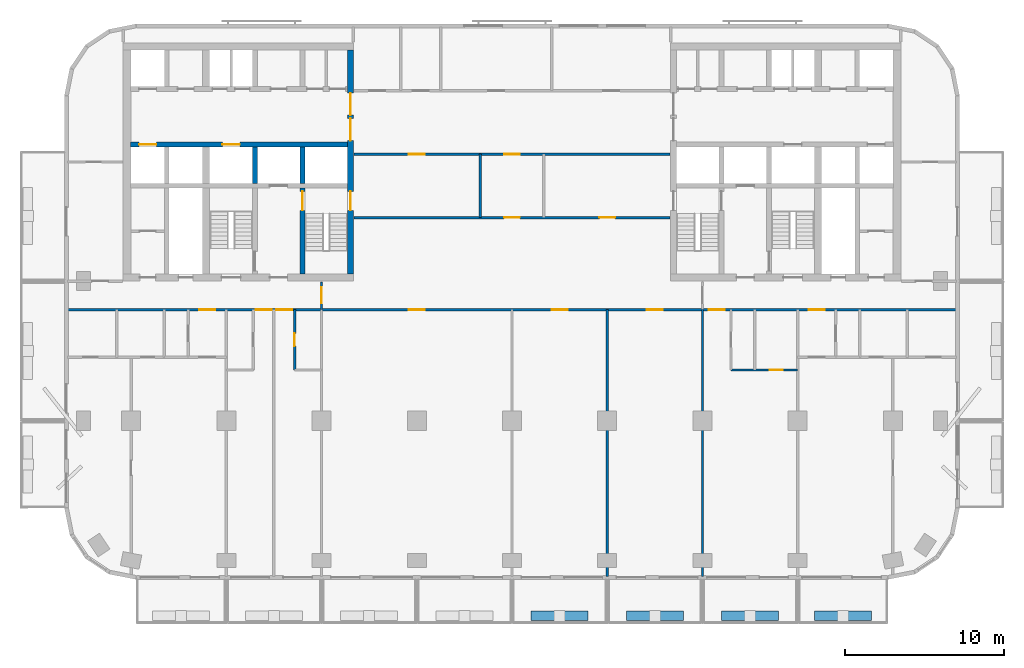
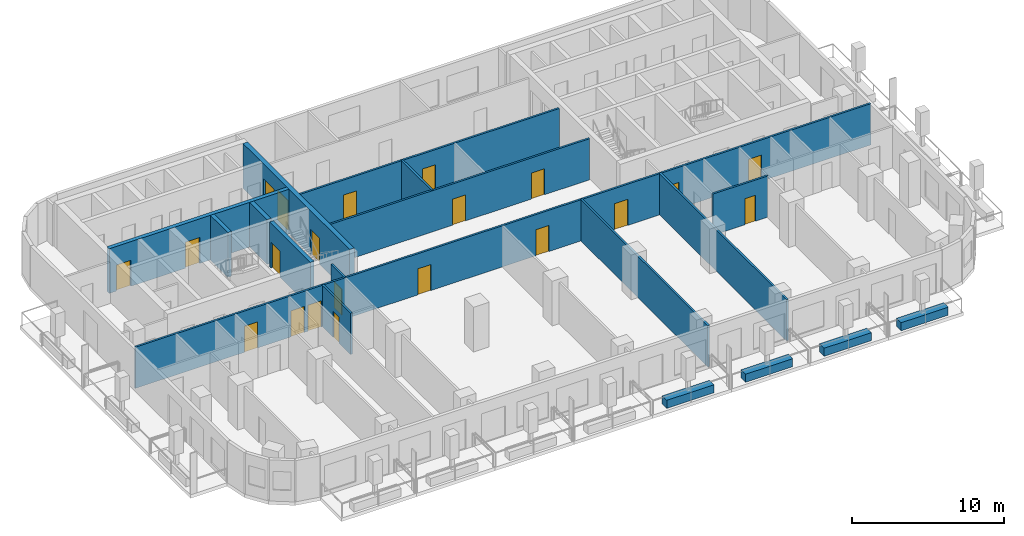
# One storey, part 4 of 12: 21 doors, 18 walls, 21 openings.
"""IFC4 building model written with IfcOpenShell, lengths in metres."""

import ifcopenshell
import ifcopenshell.guid

model = None  # the IFC model being written
_history = None  # IfcOwnerHistory: only IFC2X3 demands one
_inside = {}  # id of a spatial element -> (the spatial element, [elements in it])
_under = {}  # id of a project, library or spatial element -> (it, [spatial elements below it])
_declared = {}  # id of a project -> (the project, [libraries it declares])
_typed = {}  # id of a type object -> (the type object, [elements of that type])
_made_of = {}  # id of a material, layer set ... -> (it, [elements and type objects made of it])


def new_model(schema):
    """Start an empty IFC model of exactly this schema.

    Asked for "IFC4X3", IfcOpenShell would pick the latest addendum, in which some entities
    have other attributes; the version numbers below select the first issue.
    IFC2X3 requires an IfcOwnerHistory on every rooted entity: one is made here for all.
    """
    global model, _history
    if schema == "IFC4X3":
        model = ifcopenshell.file(schema_version=(4, 3, 0, 0))
    else:
        model = ifcopenshell.file(schema=schema)
    _inside.clear()
    _under.clear()
    _declared.clear()
    _typed.clear()
    _made_of.clear()
    _history = None
    if model.schema == "IFC2X3":
        org = make("IfcOrganization", Name="unknown")
        user = make(
            "IfcPersonAndOrganization",
            ThePerson=make("IfcPerson", FamilyName="unknown"),
            TheOrganization=org,
        )
        app = make(
            "IfcApplication",
            ApplicationDeveloper=org,
            Version="unknown",
            ApplicationFullName="unknown",
            ApplicationIdentifier="unknown",
        )
        _history = make(
            "IfcOwnerHistory",
            OwningUser=user,
            OwningApplication=app,
            ChangeAction="ADDED",
            CreationDate=0,
        )
    return model


def make(cls, **values):
    """One entity of the class cls with the attributes given. An attribute that is None is left unset."""
    return model.create_entity(
        cls, **{name: value for name, value in values.items() if value is not None}
    )


def rooted(cls, **values):
    """An entity with a GlobalId (a new one), such as an element, a storey or a relation."""
    return make(cls, GlobalId=ifcopenshell.guid.new(), OwnerHistory=_history, **values)


def si_unit(unit_type, name, prefix=None):
    """IfcSIUnit, for example si_unit("LENGTHUNIT", "METRE", prefix="MILLI")."""
    return make("IfcSIUnit", UnitType=unit_type, Prefix=prefix, Name=name)


def assignment(units):
    """IfcUnitAssignment: the units of a project."""
    return None if units is None else make("IfcUnitAssignment", Units=units)


def point(xyz):
    """IfcCartesianPoint."""
    return None if xyz is None else make("IfcCartesianPoint", Coordinates=xyz)


def direction(xyz):
    """IfcDirection."""
    return None if xyz is None else make("IfcDirection", DirectionRatios=xyz)


def frame(location, z_axis=None, x_axis=None):
    """IfcAxis2Placement3D, a coordinate frame: its origin and axes. An axis left out is left unset."""
    return make(
        "IfcAxis2Placement3D",
        Location=point(location),
        Axis=direction(z_axis),
        RefDirection=direction(x_axis),
    )


def frame_2d(location, x_axis=None):
    """IfcAxis2Placement2D, a coordinate frame in the plane: its origin and x axis."""
    return make(
        "IfcAxis2Placement2D", Location=point(location), RefDirection=direction(x_axis)
    )


def origin():
    """The frame at (0, 0, 0) with its axes left unset."""
    return frame((0.0, 0.0, 0.0))


def place(relative_to, where):
    """IfcLocalPlacement: puts the frame where relative to a parent placement (None: the world)."""
    return make(
        "IfcLocalPlacement", PlacementRelTo=relative_to, RelativePlacement=where
    )


def context(
    kind, dimensions, precision=None, world=None, true_north=None, identifier=None
):
    """IfcGeometricRepresentationContext, for example the 3D "Model" context."""
    return make(
        "IfcGeometricRepresentationContext",
        ContextIdentifier=identifier,
        ContextType=kind,
        CoordinateSpaceDimension=dimensions,
        Precision=precision,
        WorldCoordinateSystem=world,
        TrueNorth=true_north,
    )


def subcontext(parent, identifier, kind, view, scale=None):
    """IfcGeometricRepresentationSubContext, for example "Body" below "Model"."""
    return make(
        "IfcGeometricRepresentationSubContext",
        ContextIdentifier=identifier,
        ContextType=kind,
        ParentContext=parent,
        TargetScale=scale,
        TargetView=view,
    )


def project(units=None, contexts=None):
    """IfcProject with its units and contexts."""
    return rooted(
        "IfcProject",
        Name="project",
        RepresentationContexts=contexts,
        UnitsInContext=assignment(units),
    )


def spatial(cls, under=None, at=None, **own):
    """A site, building, storey or space (cls), placed at a placement, below another one or the project."""
    s = rooted(cls, ObjectPlacement=at, **own)
    if under is not None:
        _under.setdefault(under.id(), (under, []))[1].append(s)
    return s


def profile(cls, at=None, kind="AREA", **sizes):
    """A parametric profile (cls). Its sizes go by their IFC names, for example OverallWidth=200.0."""
    return make(cls, ProfileType=kind, Position=at, **sizes)


def rectangle(**sizes):
    """IfcRectangleProfileDef."""
    return profile("IfcRectangleProfileDef", **sizes)


def extrude(swept, where, along, depth):
    """IfcExtrudedAreaSolid: the profile swept, set in the frame where, extruded along a direction by depth."""
    return make(
        "IfcExtrudedAreaSolid",
        SweptArea=swept,
        Position=where,
        ExtrudedDirection=direction(along),
        Depth=depth,
    )


def shape(context_of_items, identifier, shape_type, items):
    """IfcShapeRepresentation: the items that make up one representation, for example the "Body"."""
    return make(
        "IfcShapeRepresentation",
        ContextOfItems=context_of_items,
        RepresentationIdentifier=identifier,
        RepresentationType=shape_type,
        Items=items,
    )


def material(Name=None, Category=None):
    """IfcMaterial."""
    return make("IfcMaterial", Name=Name, Category=Category)


def layer(
    of_material, thickness, ventilated=None, Name=None, Category=None, Priority=None
):
    """IfcMaterialLayer: one layer of a wall or slab, of a material (None: an air gap)."""
    return make(
        "IfcMaterialLayer",
        Material=of_material,
        LayerThickness=thickness,
        IsVentilated=ventilated,
        Name=Name,
        Category=Category,
        Priority=Priority,
    )


def layer_set(layers, Name=None):
    """IfcMaterialLayerSet."""
    return make("IfcMaterialLayerSet", MaterialLayers=layers, LayerSetName=Name)


def made_of(thing, what):
    """Note that an element or type object is made of a material, layer set ...; save() writes the relation."""
    if what is not None:
        _made_of.setdefault(what.id(), (what, []))[1].append(thing)
    return thing


def type_object(cls, material=None, **own):
    """A type object (cls), such as IfcWallType, which elements share."""
    return made_of(rooted(cls, **own), material)


def element(
    cls,
    number,
    at=None,
    inside=None,
    cuts=None,
    type_object=None,
    material=None,
    context=None,
    identifier="Body",
    shape_type=None,
    held_by="IfcProductDefinitionShape",
    body=None,
    shapes=None,
    **own,
):
    """One element of the class cls, such as IfcWall. Its Tag is "e" and its number.

    at: its placement. inside: the storey or other place that contains it. cuts: it is an
    opening in that element (IfcRelVoidsElement). A single representation is given by context,
    identifier, shape_type and body (its items); several are given by shapes. held_by: the class
    of the entity that holds the representations. save() writes the other relations.
    """
    e = rooted(cls, Tag="e%d" % number, ObjectPlacement=at, **own)
    if body is not None:
        shapes = [shape(context, identifier, shape_type, body)]
    if shapes is not None:
        e.Representation = make(held_by, Representations=shapes)
    if inside is not None:
        _inside.setdefault(inside.id(), (inside, []))[1].append(e)
    if cuts is not None:
        rooted(
            "IfcRelVoidsElement", RelatingBuildingElement=cuts, RelatedOpeningElement=e
        )
    if type_object is not None:
        _typed.setdefault(type_object.id(), (type_object, []))[1].append(e)
    return made_of(e, material)


def fill(opening, filler):
    """IfcRelFillsElement: the door or window that sits in an opening."""
    return rooted(
        "IfcRelFillsElement",
        RelatingOpeningElement=opening,
        RelatedBuildingElement=filler,
    )


def aggregate(whole, parts):
    """IfcRelAggregates: a whole, such as a stair, and the parts it consists of."""
    return rooted("IfcRelAggregates", RelatingObject=whole, RelatedObjects=parts)


def save(model, path):
    """Write the relations noted so far, then the file.

    IfcRelAggregates (storeys below a building ...), IfcRelContainedInSpatialStructure (elements
    in a storey), IfcRelDefinesByType, IfcRelAssociatesMaterial and IfcRelDeclares: one each for
    every whole, place, type object, material and project.
    """
    for whole, parts in _under.values():
        aggregate(whole, parts)
    for where, things in _inside.values():
        rooted(
            "IfcRelContainedInSpatialStructure",
            RelatedElements=things,
            RelatingStructure=where,
        )
    for kind, things in _typed.values():
        rooted("IfcRelDefinesByType", RelatedObjects=things, RelatingType=kind)
    for what, things in _made_of.values():
        rooted("IfcRelAssociatesMaterial", RelatedObjects=things, RelatingMaterial=what)
    for by, libraries in _declared.values():
        rooted("IfcRelDeclares", RelatingContext=by, RelatedDefinitions=libraries)
    model.write(path)


model = new_model("IFC4")

# Units and contexts
model_context = context("Model", 3, precision=1e-05, world=origin(), true_north=direction((0.0, 1.0)))
body_context = subcontext(model_context, "Body", "Model", "MODEL_VIEW")
ifc_project = project(units=[si_unit("LENGTHUNIT", "METRE"), si_unit("AREAUNIT", "SQUARE_METRE"), si_unit("VOLUMEUNIT", "CUBIC_METRE"), si_unit("PLANEANGLEUNIT", "RADIAN"), si_unit("MASSUNIT", "GRAM", prefix="KILO")], contexts=[model_context])

# Site, building, storey
site_placement = place(None, origin())
site = spatial("IfcSite", under=ifc_project, at=site_placement, CompositionType="ELEMENT")
building_placement = place(site_placement, origin())
building = spatial("IfcBuilding", under=site, at=building_placement, Name="Torana Hotel and Residences", CompositionType="ELEMENT")
storey_placement = place(building_placement, frame((0.0, 0.0, 112.800048828125)))
storey = spatial("IfcBuildingStorey", under=building, at=storey_placement, Name="L28", CompositionType="ELEMENT", Elevation=112.800048828125)

# Wall, openings, doors
ifc_material_1 = material(Name="Concrete C70/85", Category="concrete")
ifc_layer_1 = layer(ifc_material_1, 0.300048828125)
ifc_layer_set_1 = layer_set([ifc_layer_1], Name="CORE WALL 300 C70/85")
wall_type_1 = type_object("IfcWallType", Name="CORE WALL 300 C70/85", PredefinedType="SHEAR", material=ifc_layer_set_1)
wall_1_placement = place(storey_placement, frame((-24.050048828125, -6.39990234375, 0.0), z_axis=(0.0, 0.0, 1.0), x_axis=(1.0, 0.0, 0.0)))
wall_1 = element("IfcWall", 1, at=wall_1_placement, inside=storey, type_object=wall_type_1, Name="Core wall W row-S", PredefinedType="SHEAR", context=body_context, shape_type="SweptSolid", body=[
    extrude(rectangle(XDim=13.699951171875, YDim=0.300048828125, at=frame_2d((6.85009765625, 0.0))), origin(), (0.0, 0.0, 1.0), 3.599853515625),
])
opening_1_placement = place(wall_1_placement, frame((0.550048828125, 0.0, 0.0)))
opening_1 = element("IfcOpeningElement", 2, at=opening_1_placement, cuts=wall_1, Name="Opening LD", PredefinedType="OPENING", context=body_context, shape_type="SweptSolid", body=[
    extrude(rectangle(XDim=1.10009765625, YDim=2.10009765625, at=frame_2d((0.550048828125, 1.050048828125))), frame((0.0, 0.159912109375, 0.0), z_axis=(0.0, -1.0, 0.0), x_axis=(1.0, 0.0, 0.0)), (0.0, 0.0, 1.0), 0.320068359375),
])
opening_2_placement = place(wall_1_placement, frame((5.800048828125, 0.0, 0.0)))
opening_2 = element("IfcOpeningElement", 3, at=opening_2_placement, cuts=wall_1, Name="Opening LD", PredefinedType="OPENING", context=body_context, shape_type="SweptSolid", body=[
    extrude(rectangle(XDim=1.10009765625, YDim=2.10009765625, at=frame_2d((0.550048828125, 1.050048828125))), frame((0.0, 0.159912109375, 0.0), z_axis=(0.0, -1.0, 0.0), x_axis=(1.0, 0.0, 0.0)), (0.0, 0.0, 1.0), 0.320068359375),
])
ifc_material_2 = material(Name="Stainless steel 316", Category="steel")
door_type_1 = type_object("IfcDoorType", Name="LIFT LANDING DOOR LD 1100x2100", OperationType="DOUBLE_DOOR_SLIDING", PredefinedType="USERDEFINED", material=ifc_material_2)
door_1_placement = place(opening_1_placement, origin())
door_1 = element("IfcDoor", 4, at=door_1_placement, inside=storey, type_object=door_type_1, Name="Lift landing door M2 L28", ObjectType="LIFT LANDING DOOR", OperationType="DOUBLE_DOOR_SLIDING", OverallHeight=2.10009765625, OverallWidth=1.10009765625, PredefinedType="USERDEFINED", context=body_context, shape_type="SweptSolid", body=[
    extrude(rectangle(XDim=1.10009765625, YDim=2.10009765625, at=frame_2d((0.550048828125, 1.050048828125))), frame((0.0, 0.02490234375, 0.0), z_axis=(0.0, -1.0, 0.0), x_axis=(1.0, 0.0, 0.0)), (0.0, 0.0, 1.0), 0.050048828125),
])
fill(opening_1, door_1)
door_2_placement = place(opening_2_placement, origin())
door_2 = element("IfcDoor", 5, at=door_2_placement, inside=storey, type_object=door_type_1, Name="Lift landing door SV1 L28", ObjectType="LIFT LANDING DOOR", OperationType="DOUBLE_DOOR_SLIDING", OverallHeight=2.10009765625, OverallWidth=1.10009765625, PredefinedType="USERDEFINED", context=body_context, shape_type="SweptSolid", body=[
    extrude(rectangle(XDim=1.10009765625, YDim=2.10009765625, at=frame_2d((0.550048828125, 1.050048828125))), frame((0.0, 0.02490234375, 0.0), z_axis=(0.0, -1.0, 0.0), x_axis=(1.0, 0.0, 0.0)), (0.0, 0.0, 1.0), 0.050048828125),
])
fill(opening_2, door_2)

# Wall
wall_2_placement = place(storey_placement, frame((-13.199951171875, -8.85009765625, 0.0), z_axis=(0.0, 0.0, 1.0), x_axis=(0.0, 1.0, 0.0)))
element("IfcWall", 6, at=wall_2_placement, inside=storey, type_object=wall_type_1, Name="Core wall W x3.05-S", PredefinedType="SHEAR", context=body_context, shape_type="SweptSolid", body=[
    extrude(rectangle(XDim=2.300048828125, YDim=0.300048828125, at=frame_2d((1.14990234375, 0.0))), origin(), (0.0, 0.0, 1.0), 3.599853515625),
])

# Wall, opening, door
wall_3_placement = place(storey_placement, frame((-13.199951171875, -14.550048828125, 0.0), z_axis=(0.0, 0.0, 1.0), x_axis=(0.0, 1.0, 0.0)))
wall_3 = element("IfcWall", 7, at=wall_3_placement, inside=storey, type_object=wall_type_1, Name="Core wall W x3.05-band", PredefinedType="SHEAR", context=body_context, shape_type="SweptSolid", body=[
    extrude(rectangle(XDim=5.400146484375, YDim=0.300048828125, at=frame_2d((2.7001953125, 0.0))), origin(), (0.0, 0.0, 1.0), 3.599853515625),
])
opening_3_placement = place(wall_3_placement, frame((4.0, 0.0, 0.0)))
opening_3 = element("IfcOpeningElement", 8, at=opening_3_placement, cuts=wall_3, Name="Opening L28-14", PredefinedType="OPENING", context=body_context, shape_type="SweptSolid", body=[
    extrude(rectangle(XDim=1.199951171875, YDim=2.10009765625, at=frame_2d((0.60009765625, 1.050048828125))), frame((0.0, 0.159912109375, 0.0), z_axis=(0.0, -1.0, 0.0), x_axis=(1.0, 0.0, 0.0)), (0.0, 0.0, 1.0), 0.320068359375),
])
ifc_material_3 = material(Name="Steel S235", Category="steel")
door_type_2 = type_object("IfcDoorType", Name="STAIR FIRE DOOR D3 1200x2100", OperationType="SINGLE_SWING_LEFT", PredefinedType="DOOR", material=ifc_material_3)
door_3_placement = place(opening_3_placement, frame((0.60009765625, 0.0, 0.0), z_axis=(0.0, 0.0, 1.0), x_axis=(-1.0, 0.0, 0.0)))
door_3 = element("IfcDoor", 9, at=door_3_placement, inside=storey, type_object=door_type_2, Name="Stair-A-lobby door L28", OperationType="SINGLE_SWING_RIGHT", OverallHeight=2.10009765625, OverallWidth=1.199951171875, PredefinedType="DOOR", context=body_context, shape_type="SweptSolid", body=[
    extrude(rectangle(XDim=1.199951171875, YDim=2.10009765625, at=frame_2d((0.0, 1.050048828125))), frame((0.0, -0.02490234375, 0.0), z_axis=(0.0, 1.0, 0.0), x_axis=(-1.0, 0.0, 0.0)), (0.0, 0.0, 1.0), 0.050048828125),
])
fill(opening_3, door_3)

# Wall
wall_4_placement = place(storey_placement, frame((-16.199951171875, -8.85009765625, 0.0), z_axis=(0.0, 0.0, 1.0), x_axis=(0.0, 1.0, 0.0)))
element("IfcWall", 10, at=wall_4_placement, inside=storey, type_object=wall_type_1, Name="Core wall W x6.05-S", PredefinedType="SHEAR", context=body_context, shape_type="SweptSolid", body=[
    extrude(rectangle(XDim=2.300048828125, YDim=0.300048828125, at=frame_2d((1.14990234375, 0.0))), origin(), (0.0, 0.0, 1.0), 3.599853515625),
])

# Wall, openings, doors
ifc_material_4 = material(Name="Concrete C70/85", Category="concrete")
ifc_layer_2 = layer(ifc_material_4, 0.35009765625)
ifc_layer_set_2 = layer_set([ifc_layer_2], Name="CORE WALL 350 C70/85")
wall_type_2 = type_object("IfcWallType", Name="CORE WALL 350 C70/85", PredefinedType="SHEAR", material=ifc_layer_set_2)
wall_5_placement = place(storey_placement, frame((-10.175048828125, -14.550048828125, 0.0), z_axis=(0.0, 0.0, 1.0), x_axis=(0.0, 1.0, 0.0)))
wall_5 = element("IfcWall", 11, at=wall_5_placement, inside=storey, type_object=wall_type_2, Name="Core wall W arch", PredefinedType="SHEAR", context=body_context, shape_type="SweptSolid", body=[
    extrude(rectangle(XDim=14.10009765625, YDim=0.35009765625, at=frame_2d((7.050048828125, 0.0))), origin(), (0.0, 0.0, 1.0), 3.599853515625),
])
opening_4_placement = place(wall_5_placement, frame((8.39990234375, 0.0, 0.0)))
opening_4 = element("IfcOpeningElement", 12, at=opening_4_placement, cuts=wall_5, Name="Opening L28-01", PredefinedType="OPENING", context=body_context, shape_type="SweptSolid", body=[
    extrude(rectangle(XDim=1.39990234375, YDim=2.39990234375, at=frame_2d((0.699951171875, 1.199951171875))), frame((0.0, 0.18505859375, 0.0), z_axis=(0.0, -1.0, 0.0), x_axis=(1.0, 0.0, 0.0)), (0.0, 0.0, 1.0), 0.3701171875),
])
opening_5_placement = place(wall_5_placement, frame((10.0, 0.0, 0.0)))
opening_5 = element("IfcOpeningElement", 13, at=opening_5_placement, cuts=wall_5, Name="Opening L28-02", PredefinedType="OPENING", context=body_context, shape_type="SweptSolid", body=[
    extrude(rectangle(XDim=1.39990234375, YDim=2.39990234375, at=frame_2d((0.699951171875, 1.199951171875))), frame((0.0, 0.18505859375, 0.0), z_axis=(0.0, -1.0, 0.0), x_axis=(1.0, 0.0, 0.0)), (0.0, 0.0, 1.0), 0.3701171875),
])
opening_6_placement = place(wall_5_placement, frame((4.0, 0.0, 0.0)))
opening_6 = element("IfcOpeningElement", 14, at=opening_6_placement, cuts=wall_5, Name="Opening L28-03", PredefinedType="OPENING", context=body_context, shape_type="SweptSolid", body=[
    extrude(rectangle(XDim=1.199951171875, YDim=2.10009765625, at=frame_2d((0.60009765625, 1.050048828125))), frame((0.0, 0.18505859375, 0.0), z_axis=(0.0, -1.0, 0.0), x_axis=(1.0, 0.0, 0.0)), (0.0, 0.0, 1.0), 0.3701171875),
])
ifc_material_5 = material(Name="Steel S235", Category="steel")
door_type_3 = type_object("IfcDoorType", Name="LOBBY FIRE DOOR D4 1400x2400", OperationType="DOUBLE_DOOR_SINGLE_SWING", PredefinedType="DOOR", material=ifc_material_5)
door_4_placement = place(opening_4_placement, origin())
door_4 = element("IfcDoor", 15, at=door_4_placement, inside=storey, type_object=door_type_3, Name="Lobby-1 door L28", OperationType="DOUBLE_DOOR_SINGLE_SWING", OverallHeight=2.39990234375, OverallWidth=1.39990234375, PredefinedType="DOOR", context=body_context, shape_type="SweptSolid", body=[
    extrude(rectangle(XDim=1.39990234375, YDim=2.39990234375, at=frame_2d((0.699951171875, 1.199951171875))), frame((0.0, 0.02490234375, 0.0), z_axis=(0.0, -1.0, 0.0), x_axis=(1.0, 0.0, 0.0)), (0.0, 0.0, 1.0), 0.050048828125),
])
fill(opening_4, door_4)
door_5_placement = place(opening_5_placement, origin())
door_5 = element("IfcDoor", 16, at=door_5_placement, inside=storey, type_object=door_type_3, Name="Lobby-2 door L28", OperationType="DOUBLE_DOOR_SINGLE_SWING", OverallHeight=2.39990234375, OverallWidth=1.39990234375, PredefinedType="DOOR", context=body_context, shape_type="SweptSolid", body=[
    extrude(rectangle(XDim=1.39990234375, YDim=2.39990234375, at=frame_2d((0.699951171875, 1.199951171875))), frame((0.0, 0.02490234375, 0.0), z_axis=(0.0, -1.0, 0.0), x_axis=(1.0, 0.0, 0.0)), (0.0, 0.0, 1.0), 0.050048828125),
])
fill(opening_5, door_5)
door_6_placement = place(opening_6_placement, origin())
door_6 = element("IfcDoor", 17, at=door_6_placement, inside=storey, type_object=door_type_2, Name="Stair-A door L28", OperationType="SINGLE_SWING_LEFT", OverallHeight=2.10009765625, OverallWidth=1.199951171875, PredefinedType="DOOR", context=body_context, shape_type="SweptSolid", body=[
    extrude(rectangle(XDim=1.199951171875, YDim=2.10009765625, at=frame_2d((0.60009765625, 1.050048828125))), frame((0.0, 0.02490234375, 0.0), z_axis=(0.0, -1.0, 0.0), x_axis=(1.0, 0.0, 0.0)), (0.0, 0.0, 1.0), 0.050048828125),
])
fill(opening_6, door_6)

# Wall
ifc_material_6 = material(Name="Gypsum plaster")
ifc_layer_3 = layer(ifc_material_6, 0.014892578125, Name="Plaster", Category="finish")
ifc_material_7 = material(Name="Concrete blockwork", Category="masonry")
ifc_layer_4 = layer(ifc_material_7, 0.1201171875, Name="Blockwork", Category="structure")
ifc_layer_5 = layer(ifc_material_6, 0.014892578125, Name="Plaster", Category="finish")
ifc_layer_set_3 = layer_set([ifc_layer_3, ifc_layer_4, ifc_layer_5], Name="FIRE PARTITION 150 BLOCKWORK")
wall_type_3 = type_object("IfcWallType", Name="FIRE PARTITION 150 BLOCKWORK", PredefinedType="PARTITIONING", material=ifc_layer_set_3)
wall_6_placement = place(storey_placement, frame((-2.0, -11.0, 0.0), z_axis=(0.0, 0.0, 1.0), x_axis=(0.0, 1.0, 0.0)))
element("IfcWall", 18, at=wall_6_placement, inside=storey, type_object=wall_type_3, Name="Partition L28", PredefinedType="PARTITIONING", context=body_context, shape_type="SweptSolid", body=[
    extrude(rectangle(XDim=4.0, YDim=0.14990234375, at=frame_2d((2.0, 0.0))), origin(), (0.0, 0.0, 1.0), 3.320068359375),
])

# Wall, opening, door
wall_7_placement = place(storey_placement, frame((-12.0, -16.800048828125, 0.0), z_axis=(0.0, 0.0, 1.0), x_axis=(0.0, 1.0, 0.0)))
wall_7 = element("IfcWall", 19, at=wall_7_placement, inside=storey, type_object=wall_type_3, Name="Partition L28", PredefinedType="PARTITIONING", context=body_context, shape_type="SweptSolid", body=[
    extrude(rectangle(XDim=1.75, YDim=0.14990234375, at=frame_2d((0.875, 0.0))), origin(), (0.0, 0.0, 1.0), 3.320068359375),
])
opening_7_placement = place(wall_7_placement, frame((0.39990234375, 0.0, 0.0)))
opening_7 = element("IfcOpeningElement", 20, at=opening_7_placement, cuts=wall_7, Name="Opening L28-33", PredefinedType="OPENING", context=body_context, shape_type="SweptSolid", body=[
    extrude(rectangle(XDim=1.0, YDim=2.10009765625, at=frame_2d((0.5, 1.050048828125))), frame((0.0, 0.0849609375, 0.0), z_axis=(0.0, -1.0, 0.0), x_axis=(1.0, 0.0, 0.0)), (0.0, 0.0, 1.0), 0.169921875),
])
ifc_material_8 = material(Name="Steel S235", Category="steel")
door_type_4 = type_object("IfcDoorType", Name="ENTRY FIRE DOOR D6 1000x2100", OperationType="SINGLE_SWING_LEFT", PredefinedType="DOOR", material=ifc_material_8)
door_7_placement = place(opening_7_placement, origin())
door_7 = element("IfcDoor", 21, at=door_7_placement, inside=storey, type_object=door_type_4, Name="Door L28", OperationType="SINGLE_SWING_RIGHT", OverallHeight=2.10009765625, OverallWidth=1.0, PredefinedType="DOOR", context=body_context, shape_type="SweptSolid", body=[
    extrude(rectangle(XDim=1.0, YDim=2.10009765625, at=frame_2d((0.5, 1.050048828125))), frame((0.0, 0.02490234375, 0.0), z_axis=(0.0, -1.0, 0.0), x_axis=(1.0, 0.0, 0.0)), (0.0, 0.0, 1.0), 0.050048828125),
])
fill(opening_7, door_7)

# Wall, openings, doors
wall_8_placement = place(storey_placement, frame((-28.02001953125, -16.800048828125, 0.0), z_axis=(0.0, 0.0, 1.0), x_axis=(1.0, 0.0, 0.0)))
wall_8 = element("IfcWall", 22, at=wall_8_placement, inside=storey, type_object=wall_type_3, Name="Partition L28", PredefinedType="PARTITIONING", context=body_context, shape_type="SweptSolid", body=[
    extrude(rectangle(XDim=56.0400390625, YDim=0.14990234375, at=frame_2d((28.02001953125, 0.0))), origin(), (0.0, 0.0, 1.0), 3.320068359375),
])
opening_8_placement = place(wall_8_placement, frame((13.169921875, 0.0, 0.0)))
opening_8 = element("IfcOpeningElement", 23, at=opening_8_placement, cuts=wall_8, Name="Opening L28-34", PredefinedType="OPENING", context=body_context, shape_type="SweptSolid", body=[
    extrude(rectangle(XDim=1.0, YDim=2.10009765625, at=frame_2d((0.5, 1.050048828125))), frame((0.0, 0.0849609375, 0.0), z_axis=(0.0, -1.0, 0.0), x_axis=(1.0, 0.0, 0.0)), (0.0, 0.0, 1.0), 0.169921875),
])
opening_9_placement = place(wall_8_placement, frame((11.8701171875, 0.0, 0.0)))
opening_9 = element("IfcOpeningElement", 24, at=opening_9_placement, cuts=wall_8, Name="Opening L28-35", PredefinedType="OPENING", context=body_context, shape_type="SweptSolid", body=[
    extrude(rectangle(XDim=1.0, YDim=2.10009765625, at=frame_2d((0.5, 1.050048828125))), frame((0.0, 0.0849609375, 0.0), z_axis=(0.0, -1.0, 0.0), x_axis=(1.0, 0.0, 0.0)), (0.0, 0.0, 1.0), 0.169921875),
])
opening_10_placement = place(wall_8_placement, frame((8.320068359375, 0.0, 0.0)))
opening_10 = element("IfcOpeningElement", 25, at=opening_10_placement, cuts=wall_8, Name="Opening L28-36", PredefinedType="OPENING", context=body_context, shape_type="SweptSolid", body=[
    extrude(rectangle(XDim=1.0, YDim=2.10009765625, at=frame_2d((0.5, 1.050048828125))), frame((0.0, 0.0849609375, 0.0), z_axis=(0.0, -1.0, 0.0), x_axis=(1.0, 0.0, 0.0)), (0.0, 0.0, 1.0), 0.169921875),
])
opening_11_placement = place(wall_8_placement, frame((40.419921875, 0.0, 0.0)))
opening_11 = element("IfcOpeningElement", 26, at=opening_11_placement, cuts=wall_8, Name="Opening L28-39", PredefinedType="OPENING", context=body_context, shape_type="SweptSolid", body=[
    extrude(rectangle(XDim=1.0, YDim=2.10009765625, at=frame_2d((0.5, 1.050048828125))), frame((0.0, 0.0849609375, 0.0), z_axis=(0.0, -1.0, 0.0), x_axis=(1.0, 0.0, 0.0)), (0.0, 0.0, 1.0), 0.169921875),
])
opening_12_placement = place(wall_8_placement, frame((46.719970703125, 0.0, 0.0)))
opening_12 = element("IfcOpeningElement", 27, at=opening_12_placement, cuts=wall_8, Name="Opening L28-40", PredefinedType="OPENING", context=body_context, shape_type="SweptSolid", body=[
    extrude(rectangle(XDim=1.0, YDim=2.10009765625, at=frame_2d((0.5, 1.050048828125))), frame((0.0, 0.0849609375, 0.0), z_axis=(0.0, -1.0, 0.0), x_axis=(1.0, 0.0, 0.0)), (0.0, 0.0, 1.0), 0.169921875),
])
opening_13_placement = place(wall_8_placement, frame((21.52001953125, 0.0, 0.0)))
opening_13 = element("IfcOpeningElement", 28, at=opening_13_placement, cuts=wall_8, Name="Opening L28-43", PredefinedType="OPENING", context=body_context, shape_type="SweptSolid", body=[
    extrude(rectangle(XDim=1.0, YDim=2.10009765625, at=frame_2d((0.5, 1.050048828125))), frame((0.0, 0.0849609375, 0.0), z_axis=(0.0, -1.0, 0.0), x_axis=(1.0, 0.0, 0.0)), (0.0, 0.0, 1.0), 0.169921875),
])
opening_14_placement = place(wall_8_placement, frame((30.52001953125, 0.0, 0.0)))
opening_14 = element("IfcOpeningElement", 29, at=opening_14_placement, cuts=wall_8, Name="Opening L28-44", PredefinedType="OPENING", context=body_context, shape_type="SweptSolid", body=[
    extrude(rectangle(XDim=1.0, YDim=2.10009765625, at=frame_2d((0.5, 1.050048828125))), frame((0.0, 0.0849609375, 0.0), z_axis=(0.0, -1.0, 0.0), x_axis=(1.0, 0.0, 0.0)), (0.0, 0.0, 1.0), 0.169921875),
])
opening_15_placement = place(wall_8_placement, frame((36.52001953125, 0.0, 0.0)))
opening_15 = element("IfcOpeningElement", 30, at=opening_15_placement, cuts=wall_8, Name="Opening L28-45", PredefinedType="OPENING", context=body_context, shape_type="SweptSolid", body=[
    extrude(rectangle(XDim=1.0, YDim=2.10009765625, at=frame_2d((0.5, 1.050048828125))), frame((0.0, 0.0849609375, 0.0), z_axis=(0.0, -1.0, 0.0), x_axis=(1.0, 0.0, 0.0)), (0.0, 0.0, 1.0), 0.169921875),
])
door_8_placement = place(opening_8_placement, frame((0.5, 0.0, 0.0), z_axis=(0.0, 0.0, 1.0), x_axis=(-1.0, 0.0, 0.0)))
door_8 = element("IfcDoor", 31, at=door_8_placement, inside=storey, type_object=door_type_4, Name="Door L28", OperationType="SINGLE_SWING_LEFT", OverallHeight=2.10009765625, OverallWidth=1.0, PredefinedType="DOOR", context=body_context, shape_type="SweptSolid", body=[
    extrude(rectangle(XDim=1.0, YDim=2.10009765625, at=frame_2d((0.0, 1.050048828125))), frame((0.0, -0.02490234375, 0.0), z_axis=(0.0, 1.0, 0.0), x_axis=(-1.0, 0.0, 0.0)), (0.0, 0.0, 1.0), 0.050048828125),
])
fill(opening_8, door_8)
door_9_placement = place(opening_9_placement, frame((0.5, 0.0, 0.0), z_axis=(0.0, 0.0, 1.0), x_axis=(-1.0, 0.0, 0.0)))
door_9 = element("IfcDoor", 32, at=door_9_placement, inside=storey, type_object=door_type_4, Name="Door L28", OperationType="SINGLE_SWING_LEFT", OverallHeight=2.10009765625, OverallWidth=1.0, PredefinedType="DOOR", context=body_context, shape_type="SweptSolid", body=[
    extrude(rectangle(XDim=1.0, YDim=2.10009765625, at=frame_2d((0.0, 1.050048828125))), frame((0.0, -0.02490234375, 0.0), z_axis=(0.0, 1.0, 0.0), x_axis=(-1.0, 0.0, 0.0)), (0.0, 0.0, 1.0), 0.050048828125),
])
fill(opening_9, door_9)
door_10_placement = place(opening_10_placement, origin())
door_10 = element("IfcDoor", 33, at=door_10_placement, inside=storey, type_object=door_type_4, Name="Door L28", OperationType="SINGLE_SWING_RIGHT", OverallHeight=2.10009765625, OverallWidth=1.0, PredefinedType="DOOR", context=body_context, shape_type="SweptSolid", body=[
    extrude(rectangle(XDim=1.0, YDim=2.10009765625, at=frame_2d((0.5, 1.050048828125))), frame((0.0, 0.02490234375, 0.0), z_axis=(0.0, -1.0, 0.0), x_axis=(1.0, 0.0, 0.0)), (0.0, 0.0, 1.0), 0.050048828125),
])
fill(opening_10, door_10)
door_11_placement = place(opening_11_placement, frame((0.5, 0.0, 0.0), z_axis=(0.0, 0.0, 1.0), x_axis=(-1.0, 0.0, 0.0)))
door_11 = element("IfcDoor", 34, at=door_11_placement, inside=storey, type_object=door_type_4, Name="Door L28", OperationType="SINGLE_SWING_LEFT", OverallHeight=2.10009765625, OverallWidth=1.0, PredefinedType="DOOR", context=body_context, shape_type="SweptSolid", body=[
    extrude(rectangle(XDim=1.0, YDim=2.10009765625, at=frame_2d((0.0, 1.050048828125))), frame((0.0, -0.02490234375, 0.0), z_axis=(0.0, 1.0, 0.0), x_axis=(-1.0, 0.0, 0.0)), (0.0, 0.0, 1.0), 0.050048828125),
])
fill(opening_11, door_11)
door_12_placement = place(opening_12_placement, origin())
door_12 = element("IfcDoor", 35, at=door_12_placement, inside=storey, type_object=door_type_4, Name="Door L28", OperationType="SINGLE_SWING_RIGHT", OverallHeight=2.10009765625, OverallWidth=1.0, PredefinedType="DOOR", context=body_context, shape_type="SweptSolid", body=[
    extrude(rectangle(XDim=1.0, YDim=2.10009765625, at=frame_2d((0.5, 1.050048828125))), frame((0.0, 0.02490234375, 0.0), z_axis=(0.0, -1.0, 0.0), x_axis=(1.0, 0.0, 0.0)), (0.0, 0.0, 1.0), 0.050048828125),
])
fill(opening_12, door_12)
door_13_placement = place(opening_13_placement, frame((0.5, 0.0, 0.0), z_axis=(0.0, 0.0, 1.0), x_axis=(-1.0, 0.0, 0.0)))
door_13 = element("IfcDoor", 36, at=door_13_placement, inside=storey, type_object=door_type_4, Name="Door L28", OperationType="SINGLE_SWING_LEFT", OverallHeight=2.10009765625, OverallWidth=1.0, PredefinedType="DOOR", context=body_context, shape_type="SweptSolid", body=[
    extrude(rectangle(XDim=1.0, YDim=2.10009765625, at=frame_2d((0.0, 1.050048828125))), frame((0.0, -0.02490234375, 0.0), z_axis=(0.0, 1.0, 0.0), x_axis=(-1.0, 0.0, 0.0)), (0.0, 0.0, 1.0), 0.050048828125),
])
fill(opening_13, door_13)
door_14_placement = place(opening_14_placement, frame((0.5, 0.0, 0.0), z_axis=(0.0, 0.0, 1.0), x_axis=(-1.0, 0.0, 0.0)))
door_14 = element("IfcDoor", 37, at=door_14_placement, inside=storey, type_object=door_type_4, Name="Door L28", OperationType="SINGLE_SWING_LEFT", OverallHeight=2.10009765625, OverallWidth=1.0, PredefinedType="DOOR", context=body_context, shape_type="SweptSolid", body=[
    extrude(rectangle(XDim=1.0, YDim=2.10009765625, at=frame_2d((0.0, 1.050048828125))), frame((0.0, -0.02490234375, 0.0), z_axis=(0.0, 1.0, 0.0), x_axis=(-1.0, 0.0, 0.0)), (0.0, 0.0, 1.0), 0.050048828125),
])
fill(opening_14, door_14)
door_15_placement = place(opening_15_placement, frame((0.5, 0.0, 0.0), z_axis=(0.0, 0.0, 1.0), x_axis=(-1.0, 0.0, 0.0)))
door_15 = element("IfcDoor", 38, at=door_15_placement, inside=storey, type_object=door_type_4, Name="Door L28", OperationType="SINGLE_SWING_LEFT", OverallHeight=2.10009765625, OverallWidth=1.0, PredefinedType="DOOR", context=body_context, shape_type="SweptSolid", body=[
    extrude(rectangle(XDim=1.0, YDim=2.10009765625, at=frame_2d((0.0, 1.050048828125))), frame((0.0, -0.02490234375, 0.0), z_axis=(0.0, 1.0, 0.0), x_axis=(-1.0, 0.0, 0.0)), (0.0, 0.0, 1.0), 0.050048828125),
])
fill(opening_15, door_15)

wall_9_placement = place(storey_placement, frame((-9.949951171875, -11.0, 0.0), z_axis=(0.0, 0.0, 1.0), x_axis=(1.0, 0.0, 0.0)))
wall_9 = element("IfcWall", 39, at=wall_9_placement, inside=storey, type_object=wall_type_3, Name="Partition L28", PredefinedType="PARTITIONING", context=body_context, shape_type="SweptSolid", body=[
    extrude(rectangle(XDim=19.89990234375, YDim=0.14990234375, at=frame_2d((9.949951171875, 0.0))), origin(), (0.0, 0.0, 1.0), 3.320068359375),
])
opening_16_placement = place(wall_9_placement, frame((9.449951171875, 0.0, 0.0)))
opening_16 = element("IfcOpeningElement", 40, at=opening_16_placement, cuts=wall_9, Name="Opening L28-42", PredefinedType="OPENING", context=body_context, shape_type="SweptSolid", body=[
    extrude(rectangle(XDim=1.0, YDim=2.10009765625, at=frame_2d((0.5, 1.050048828125))), frame((0.0, 0.0849609375, 0.0), z_axis=(0.0, -1.0, 0.0), x_axis=(1.0, 0.0, 0.0)), (0.0, 0.0, 1.0), 0.169921875),
])
opening_17_placement = place(wall_9_placement, frame((15.449951171875, 0.0, 0.0)))
opening_17 = element("IfcOpeningElement", 41, at=opening_17_placement, cuts=wall_9, Name="Opening L28-46", PredefinedType="OPENING", context=body_context, shape_type="SweptSolid", body=[
    extrude(rectangle(XDim=1.0, YDim=2.10009765625, at=frame_2d((0.5, 1.050048828125))), frame((0.0, 0.0849609375, 0.0), z_axis=(0.0, -1.0, 0.0), x_axis=(1.0, 0.0, 0.0)), (0.0, 0.0, 1.0), 0.169921875),
])
door_16_placement = place(opening_16_placement, origin())
door_16 = element("IfcDoor", 42, at=door_16_placement, inside=storey, type_object=door_type_4, Name="Door L28", OperationType="SINGLE_SWING_RIGHT", OverallHeight=2.10009765625, OverallWidth=1.0, PredefinedType="DOOR", context=body_context, shape_type="SweptSolid", body=[
    extrude(rectangle(XDim=1.0, YDim=2.10009765625, at=frame_2d((0.5, 1.050048828125))), frame((0.0, 0.02490234375, 0.0), z_axis=(0.0, -1.0, 0.0), x_axis=(1.0, 0.0, 0.0)), (0.0, 0.0, 1.0), 0.050048828125),
])
fill(opening_16, door_16)
door_17_placement = place(opening_17_placement, origin())
door_17 = element("IfcDoor", 43, at=door_17_placement, inside=storey, type_object=door_type_4, Name="Door L28", OperationType="SINGLE_SWING_RIGHT", OverallHeight=2.10009765625, OverallWidth=1.0, PredefinedType="DOOR", context=body_context, shape_type="SweptSolid", body=[
    extrude(rectangle(XDim=1.0, YDim=2.10009765625, at=frame_2d((0.5, 1.050048828125))), frame((0.0, 0.02490234375, 0.0), z_axis=(0.0, -1.0, 0.0), x_axis=(1.0, 0.0, 0.0)), (0.0, 0.0, 1.0), 0.050048828125),
])
fill(opening_17, door_17)

wall_10_placement = place(storey_placement, frame((-9.949951171875, -7.0, 0.0), z_axis=(0.0, 0.0, 1.0), x_axis=(1.0, 0.0, 0.0)))
wall_10 = element("IfcWall", 44, at=wall_10_placement, inside=storey, type_object=wall_type_3, Name="Partition L28", PredefinedType="PARTITIONING", context=body_context, shape_type="SweptSolid", body=[
    extrude(rectangle(XDim=19.89990234375, YDim=0.14990234375, at=frame_2d((9.949951171875, 0.0))), origin(), (0.0, 0.0, 1.0), 3.320068359375),
])
opening_18_placement = place(wall_10_placement, frame((9.449951171875, 0.0, 0.0)))
opening_18 = element("IfcOpeningElement", 45, at=opening_18_placement, cuts=wall_10, Name="Opening L28-47", PredefinedType="OPENING", context=body_context, shape_type="SweptSolid", body=[
    extrude(rectangle(XDim=1.0, YDim=2.10009765625, at=frame_2d((0.5, 1.050048828125))), frame((0.0, 0.0849609375, 0.0), z_axis=(0.0, -1.0, 0.0), x_axis=(1.0, 0.0, 0.0)), (0.0, 0.0, 1.0), 0.169921875),
])
opening_19_placement = place(wall_10_placement, frame((3.449951171875, 0.0, 0.0)))
opening_19 = element("IfcOpeningElement", 46, at=opening_19_placement, cuts=wall_10, Name="Opening L28-48", PredefinedType="OPENING", context=body_context, shape_type="SweptSolid", body=[
    extrude(rectangle(XDim=1.0, YDim=2.10009765625, at=frame_2d((0.5, 1.050048828125))), frame((0.0, 0.0849609375, 0.0), z_axis=(0.0, -1.0, 0.0), x_axis=(1.0, 0.0, 0.0)), (0.0, 0.0, 1.0), 0.169921875),
])
door_18_placement = place(opening_18_placement, origin())
door_18 = element("IfcDoor", 47, at=door_18_placement, inside=storey, type_object=door_type_4, Name="Door L28", OperationType="SINGLE_SWING_RIGHT", OverallHeight=2.10009765625, OverallWidth=1.0, PredefinedType="DOOR", context=body_context, shape_type="SweptSolid", body=[
    extrude(rectangle(XDim=1.0, YDim=2.10009765625, at=frame_2d((0.5, 1.050048828125))), frame((0.0, 0.02490234375, 0.0), z_axis=(0.0, -1.0, 0.0), x_axis=(1.0, 0.0, 0.0)), (0.0, 0.0, 1.0), 0.050048828125),
])
fill(opening_18, door_18)
door_19_placement = place(opening_19_placement, frame((0.5, 0.0, 0.0), z_axis=(0.0, 0.0, 1.0), x_axis=(-1.0, 0.0, 0.0)))
door_19 = element("IfcDoor", 48, at=door_19_placement, inside=storey, type_object=door_type_4, Name="Door L28", OperationType="SINGLE_SWING_LEFT", OverallHeight=2.10009765625, OverallWidth=1.0, PredefinedType="DOOR", context=body_context, shape_type="SweptSolid", body=[
    extrude(rectangle(XDim=1.0, YDim=2.10009765625, at=frame_2d((0.0, 1.050048828125))), frame((0.0, -0.02490234375, 0.0), z_axis=(0.0, 1.0, 0.0), x_axis=(-1.0, 0.0, 0.0)), (0.0, 0.0, 1.0), 0.050048828125),
])
fill(opening_19, door_19)

# Walls
ifc_material_9 = material(Name="Gypsum plasterboard")
ifc_layer_6 = layer(ifc_material_9, 0.012451171875, Name="Plasterboard", Category="finish")
ifc_layer_7 = layer(ifc_material_9, 0.012451171875, Name="Plasterboard", Category="finish")
ifc_material_10 = material(Name="Steel S280GD", Category="steel")
ifc_layer_8 = layer(ifc_material_10, 0.10009765625, Name="Steel studs with mineral wool", Category="insulation")
ifc_layer_9 = layer(ifc_material_9, 0.012451171875, Name="Plasterboard", Category="finish")
ifc_layer_10 = layer(ifc_material_9, 0.012451171875, Name="Plasterboard", Category="finish")
ifc_layer_set_4 = layer_set([ifc_layer_6, ifc_layer_7, ifc_layer_8, ifc_layer_9, ifc_layer_10], Name="PARTITION 150 PLASTERBOARD")
wall_type_4 = type_object("IfcWallType", Name="PARTITION 150 PLASTERBOARD", PredefinedType="PARTITIONING", material=ifc_layer_set_4)
for number, where, z_axis, x_axis, name in (
    (49, (12.0, -33.6201171875, 0.0), (0.0, 0.0, 1.0), (0.0, 1.0, 0.0), "Partition L28"),
    (50, (6.0, -33.6201171875, 0.0), (0.0, 0.0, 1.0), (0.0, 1.0, 0.0), "Partition L28"),
):
    element("IfcWall", number, at=place(storey_placement, frame(where, z_axis=z_axis, x_axis=x_axis)), inside=storey, type_object=wall_type_4, Name=name, PredefinedType="PARTITIONING", context=body_context, shape_type="SweptSolid", body=[
        extrude(rectangle(XDim=16.820068359375, YDim=0.14990234375, at=frame_2d((8.41015625, 0.0))), origin(), (0.0, 0.0, 1.0), 3.320068359375),
    ])

# Wall, opening, door
wall_11_placement = place(storey_placement, frame((-13.699951171875, -20.60009765625, 0.0), z_axis=(0.0, 0.0, 1.0), x_axis=(0.0, 1.0, 0.0)))
wall_11 = element("IfcWall", 51, at=wall_11_placement, inside=storey, type_object=wall_type_4, Name="Partition L28", PredefinedType="PARTITIONING", context=body_context, shape_type="SweptSolid", body=[
    extrude(rectangle(XDim=3.800048828125, YDim=0.14990234375, at=frame_2d((1.89990234375, 0.0))), origin(), (0.0, 0.0, 1.0), 3.320068359375),
])
opening_20_placement = place(wall_11_placement, frame((1.5, 0.0, 0.0)))
opening_20 = element("IfcOpeningElement", 52, at=opening_20_placement, cuts=wall_11, Name="Opening L28-53", PredefinedType="OPENING", context=body_context, shape_type="SweptSolid", body=[
    extrude(rectangle(XDim=0.800048828125, YDim=2.10009765625, at=frame_2d((0.39990234375, 1.050048828125))), frame((0.0, 0.0849609375, 0.0), z_axis=(0.0, -1.0, 0.0), x_axis=(1.0, 0.0, 0.0)), (0.0, 0.0, 1.0), 0.169921875),
])
ifc_material_11 = material(Name="Timber door, painted", Category="wood")
door_type_5 = type_object("IfcDoorType", Name="BATH DOOR D13 800x2100", OperationType="SINGLE_SWING_LEFT", PredefinedType="DOOR", material=ifc_material_11)
door_20_placement = place(opening_20_placement, origin())
door_20 = element("IfcDoor", 53, at=door_20_placement, inside=storey, type_object=door_type_5, Name="Door L28", OperationType="SINGLE_SWING_RIGHT", OverallHeight=2.10009765625, OverallWidth=0.800048828125, PredefinedType="DOOR", context=body_context, shape_type="SweptSolid", body=[
    extrude(rectangle(XDim=0.800048828125, YDim=2.10009765625, at=frame_2d((0.39990234375, 1.050048828125))), frame((0.0, 0.02490234375, 0.0), z_axis=(0.0, -1.0, 0.0), x_axis=(1.0, 0.0, 0.0)), (0.0, 0.0, 1.0), 0.050048828125),
])
fill(opening_20, door_20)

wall_12_placement = place(storey_placement, frame((13.800048828125, -20.60009765625, 0.0), z_axis=(0.0, 0.0, 1.0), x_axis=(1.0, 0.0, 0.0)))
wall_12 = element("IfcWall", 54, at=wall_12_placement, inside=storey, type_object=wall_type_4, Name="Partition L28", PredefinedType="PARTITIONING", context=body_context, shape_type="SweptSolid", body=[
    extrude(rectangle(XDim=4.199951171875, YDim=0.14990234375, at=frame_2d((2.10009765625, 0.0))), origin(), (0.0, 0.0, 1.0), 3.320068359375),
])
opening_21_placement = place(wall_12_placement, frame((2.449951171875, 0.0, 0.0)))
opening_21 = element("IfcOpeningElement", 55, at=opening_21_placement, cuts=wall_12, Name="Opening L28-56", PredefinedType="OPENING", context=body_context, shape_type="SweptSolid", body=[
    extrude(rectangle(XDim=0.800048828125, YDim=2.10009765625, at=frame_2d((0.39990234375, 1.050048828125))), frame((0.0, 0.0849609375, 0.0), z_axis=(0.0, -1.0, 0.0), x_axis=(1.0, 0.0, 0.0)), (0.0, 0.0, 1.0), 0.169921875),
])
door_21_placement = place(opening_21_placement, origin())
door_21 = element("IfcDoor", 56, at=door_21_placement, inside=storey, type_object=door_type_5, Name="Door L28", OperationType="SINGLE_SWING_RIGHT", OverallHeight=2.10009765625, OverallWidth=0.800048828125, PredefinedType="DOOR", context=body_context, shape_type="SweptSolid", body=[
    extrude(rectangle(XDim=0.800048828125, YDim=2.10009765625, at=frame_2d((0.39990234375, 1.050048828125))), frame((0.0, 0.02490234375, 0.0), z_axis=(0.0, -1.0, 0.0), x_axis=(1.0, 0.0, 0.0)), (0.0, 0.0, 1.0), 0.050048828125),
])
fill(opening_21, door_21)

# Walls
ifc_material_12 = material(Name="Concrete C40/50 precast", Category="concrete")
ifc_layer_11 = layer(ifc_material_12, 0.10009765625, Name="Planter shell", Category="structure")
ifc_material_13 = material(Name="Root resistant membrane")
ifc_layer_12 = layer(ifc_material_13, 0.00390625, Name="Waterproofing membrane", Category="membrane")
ifc_material_14 = material(Name="Drainage board with filter fleece")
ifc_layer_13 = layer(ifc_material_14, 0.02001953125, Name="Drainage board", Category="drainage")
ifc_material_15 = material(Name="Growing medium")
ifc_layer_14 = layer(ifc_material_15, 0.47607421875, Name="Planting substrate", Category="soil")
ifc_layer_set_5 = layer_set([ifc_layer_11, ifc_layer_12, ifc_layer_13, ifc_layer_14], Name="PL1 BALCONY PLANTER 600")
wall_type_5 = type_object("IfcWallType", Name="PL1 BALCONY PLANTER 600", PredefinedType="USERDEFINED", material=ifc_layer_set_5)
for number, where, z_axis, x_axis, name in (
    (57, (4.800048828125, -36.10009765625, 0.0), (0.0, 0.0, 1.0), (-1.0, 0.0, 0.0), "Planter 05"),
    (58, (10.800048828125, -36.10009765625, 0.0), (0.0, 0.0, 1.0), (-1.0, 0.0, 0.0), "Planter 06"),
    (59, (16.800048828125, -36.10009765625, 0.0), (0.0, 0.0, 1.0), (-1.0, 0.0, 0.0), "Planter 07"),
):
    element("IfcWall", number, at=place(storey_placement, frame(where, z_axis=z_axis, x_axis=x_axis)), inside=storey, type_object=wall_type_5, Name=name, ObjectType="PLANTER", PredefinedType="USERDEFINED", context=body_context, shape_type="SweptSolid", body=[
        extrude(rectangle(XDim=3.60009765625, YDim=0.60009765625, at=frame_2d((1.800048828125, 0.0))), origin(), (0.0, 0.0, 1.0), 0.64990234375),
    ])
wall_13_placement = place(storey_placement, frame((22.64990234375, -36.10009765625, 0.0), z_axis=(0.0, 0.0, 1.0), x_axis=(-1.0, 0.0, 0.0)))
element("IfcWall", 60, at=wall_13_placement, inside=storey, type_object=wall_type_5, Name="Planter 08", ObjectType="PLANTER", PredefinedType="USERDEFINED", context=body_context, shape_type="SweptSolid", body=[
    extrude(rectangle(XDim=3.599853515625, YDim=0.60009765625, at=frame_2d((1.7998046875, 0.0))), origin(), (0.0, 0.0, 1.0), 0.64990234375),
])

save(model, "model.ifc")
